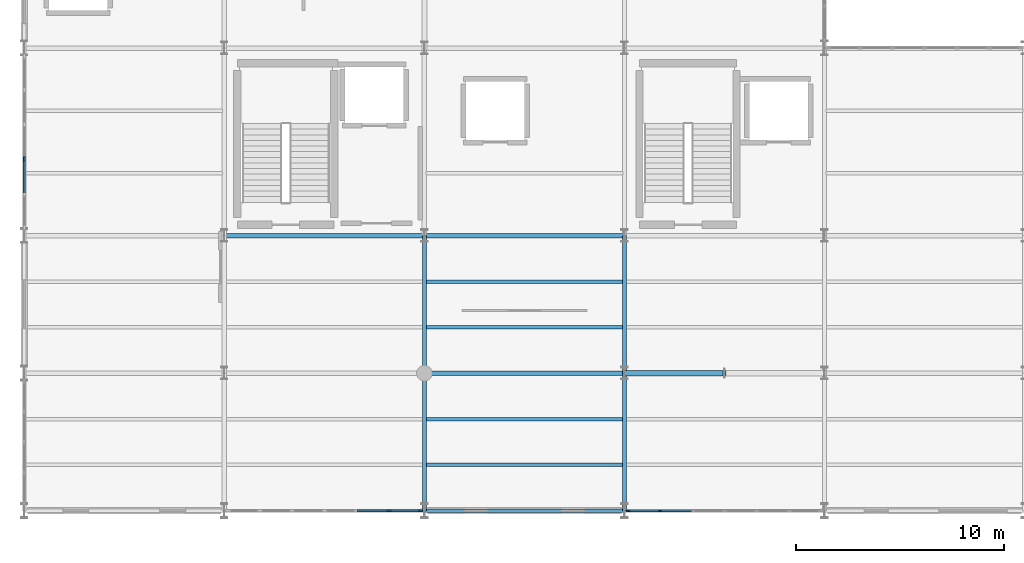
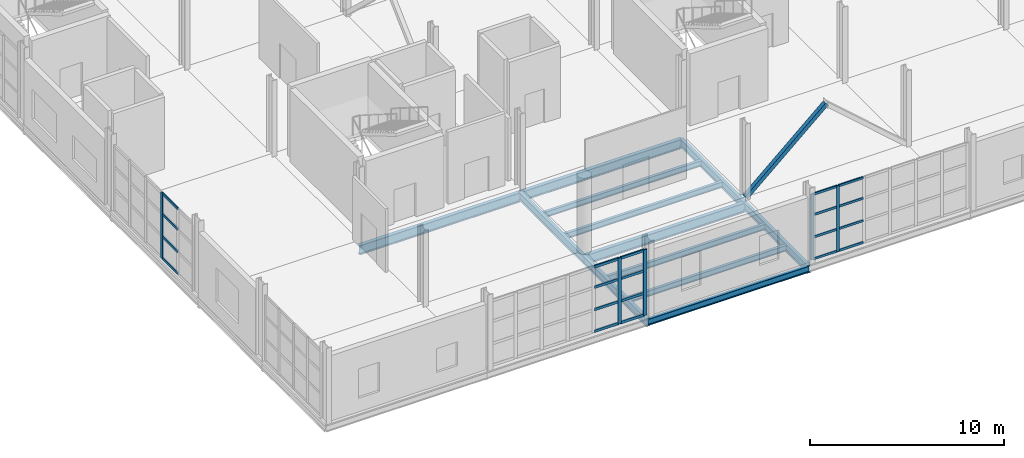
# One storey, part 16 of 120: 26 members, 12 beams, 3 elements without a shape of their own.
"""IFC4 building model written with IfcOpenShell, lengths in metres."""

from ifc_helpers import new_model, si_unit, direction, frame, origin, origin_2d, place, context, subcontext, project, spatial, rectangle, hollow_rectangle, i_section, extrude, material, layer, layer_set, material_profile, profile_set, type_object, element, aggregate, save


model = new_model("IFC4")

# Units and contexts
model_context = context("Model", 3, precision=1e-05, world=origin(), true_north=direction((0.0, 1.0)))
body_context = subcontext(model_context, "Body", "Model", "MODEL_VIEW")
ifc_project = project(units=[si_unit("LENGTHUNIT", "METRE"), si_unit("AREAUNIT", "SQUARE_METRE"), si_unit("VOLUMEUNIT", "CUBIC_METRE"), si_unit("PLANEANGLEUNIT", "RADIAN"), si_unit("MASSUNIT", "GRAM", prefix="KILO")], contexts=[model_context])

# Site, building, storey
site_placement = place(None, origin())
site = spatial("IfcSite", under=ifc_project, at=site_placement, CompositionType="ELEMENT")
building_placement = place(site_placement, origin())
building = spatial("IfcBuilding", under=site, at=building_placement, Name="Zarnetskaya Central Station", CompositionType="ELEMENT")
storey_placement = place(building_placement, frame((0.0, 0.0, 5.39990234375)))
storey = spatial("IfcBuildingStorey", under=building, at=storey_placement, Name="L01", CompositionType="ELEMENT", Elevation=5.39990234375)

# Beams
ifc_material_1 = material(Name="Steel S355", Category="steel")
ifc_material_profile_1 = material_profile(ifc_material_1, i_section(OverallWidth=0.169921875, OverallDepth=0.360107421875, WebThickness=0.008056640625, FlangeThickness=0.0126953125, FilletRadius=0.01806640625, at=origin_2d()), Name="IPE 360")
ifc_profile_set_1 = profile_set([ifc_material_profile_1], Name="Steel S355")
beam_type_1 = type_object("IfcBeamType", Name="BM-SEC-360", PredefinedType="BEAM", material=ifc_profile_set_1)
for number, where, z_axis, x_axis, name in (
    (1, (19.280029296875, 2.199951171875, -0.4599609375), (1.0, 0.0, 0.0), (0.0, 1.0, 0.0), "Secondary floor beam SEC-L01-Z512-CD-12-1"),
    (2, (19.280029296875, 4.39990234375, -0.4599609375), (1.0, 0.0, 0.0), (0.0, 1.0, 0.0), "Secondary floor beam SEC-L01-Z512-CD-12-2"),
    (3, (19.280029296875, 8.800048828125, -0.4599609375), (1.0, 0.0, 0.0), (0.0, 1.0, 0.0), "Secondary floor beam SEC-L01-Z512-CD-23-1"),
    (4, (19.280029296875, 11.0, -0.4599609375), (1.0, 0.0, 0.0), (0.0, 1.0, 0.0), "Secondary floor beam SEC-L01-Z512-CD-23-2"),
):
    element("IfcBeam", number, at=place(storey_placement, frame(where, z_axis=z_axis, x_axis=x_axis)), inside=storey, type_object=beam_type_1, Name=name, PredefinedType="BEAM", context=body_context, shape_type="SweptSolid", body=[
        extrude(i_section(OverallWidth=0.169921875, OverallDepth=0.360107421875, WebThickness=0.008056640625, FlangeThickness=0.0126953125, FilletRadius=0.01806640625, at=origin_2d()), origin(), (0.0, 0.0, 1.0), 9.43994140625),
    ])
ifc_material_profile_2 = material_profile(ifc_material_1, i_section(OverallWidth=0.179931640625, OverallDepth=0.39990234375, WebThickness=0.008544921875, FlangeThickness=0.013427734375, FilletRadius=0.02099609375, at=origin_2d()), Name="IPE 400")
ifc_profile_set_2 = profile_set([ifc_material_profile_2], Name="Steel S355")
beam_type_2 = type_object("IfcBeamType", Name="BM-SPN-V5", PredefinedType="SPANDREL", material=ifc_profile_set_2)
beam_1_placement = place(storey_placement, frame((19.199951171875, 0.0, -0.47998046875), z_axis=(1.0, 0.0, 0.0), x_axis=(0.0, 1.0, 0.0)))
element("IfcBeam", 5, at=beam_1_placement, inside=storey, type_object=beam_type_2, Name="Grid girder GX-L01-1-CD", PredefinedType="SPANDREL", context=body_context, shape_type="SweptSolid", body=[
    extrude(i_section(OverallWidth=0.179931640625, OverallDepth=0.39990234375, WebThickness=0.008544921875, FlangeThickness=0.013427734375, FilletRadius=0.02099609375, at=origin_2d()), origin(), (0.0, 0.0, 1.0), 9.60009765625),
])

# Curtain wall, members
ifc_material_2 = material(Name="Low-E insulated glass", Category="glass")
ifc_layer_1 = layer(ifc_material_2, 0.176025390625, Name="Low-E insulated glass", Category="glass")
ifc_layer_set_1 = layer_set([ifc_layer_1], Name="Low-E insulated glass")
curtain_wall_type_1 = type_object("IfcCurtainWallType", Name="CW-SYS-05", PredefinedType="USERDEFINED", material=ifc_layer_set_1)
curtain_wall_1_placement = place(storey_placement, origin())
curtain_wall_1 = element("IfcCurtainWall", 6, at=curtain_wall_1_placement, inside=storey, type_object=curtain_wall_type_1, Name="Curtain wall CW-L01-013", ObjectType="CURTAIN WALL", PredefinedType="USERDEFINED")
ifc_material_3 = material(Name="Anodised aluminium", Category="aluminium")
ifc_material_profile_3 = material_profile(ifc_material_3, rectangle(XDim=0.070068359375, YDim=0.179931640625, at=origin_2d()), Name="ALU MULL 70x180")
ifc_profile_set_3 = profile_set([ifc_material_profile_3], Name="Anodised aluminium")
member_type_1 = type_object("IfcMemberType", Name="CW-MULL-180", PredefinedType="MULLION", material=ifc_profile_set_3)
member_1_placement = place(storey_placement, frame((30.5, 0.0, 0.0), z_axis=(0.0, 0.0, 1.0), x_axis=(0.0, -1.0, 0.0)))
member_1 = element("IfcMember", 7, at=member_1_placement, type_object=member_type_1, Name="CW-14 mullion 6", PredefinedType="MULLION", context=body_context, shape_type="SweptSolid", body=[
    extrude(rectangle(XDim=0.070068359375, YDim=0.179931640625, at=origin_2d()), origin(), (0.0, 0.0, 1.0), 4.14013671875),
])
member_2_placement = place(storey_placement, frame((28.985107421875, 0.0, 0.0), z_axis=(0.0, 0.0, 1.0), x_axis=(0.0, -1.0, 0.0)))
member_2 = element("IfcMember", 8, at=member_2_placement, type_object=member_type_1, Name="CW-14 mullion 7", PredefinedType="MULLION", context=body_context, shape_type="SweptSolid", body=[
    extrude(rectangle(XDim=0.070068359375, YDim=0.179931640625, at=origin_2d()), origin(), (0.0, 0.0, 1.0), 4.14013671875),
])

# Curtain wall, member
curtain_wall_2_placement = place(storey_placement, origin())
curtain_wall_2 = element("IfcCurtainWall", 9, at=curtain_wall_2_placement, inside=storey, type_object=curtain_wall_type_1, Name="Curtain wall CW-L01-002", ObjectType="CURTAIN WALL", PredefinedType="USERDEFINED")
ifc_material_profile_4 = material_profile(ifc_material_3, rectangle(XDim=0.080078125, YDim=0.219970703125, at=origin_2d()), Name="ALU MULL 80x220")
ifc_profile_set_4 = profile_set([ifc_material_profile_4], Name="Anodised aluminium")
member_type_2 = type_object("IfcMemberType", Name="CW-MULL-220", PredefinedType="MULLION", material=ifc_profile_set_4)
member_3_placement = place(storey_placement, frame((0.0, 16.8701171875, 0.0), z_axis=(0.0, 0.0, 1.0), x_axis=(-1.0, 0.0, 0.0)))
member_3 = element("IfcMember", 10, at=member_3_placement, type_object=member_type_2, Name="CW-14 mullion 3", PredefinedType="MULLION", context=body_context, shape_type="SweptSolid", body=[
    extrude(rectangle(XDim=0.080078125, YDim=0.219970703125, at=origin_2d()), origin(), (0.0, 0.0, 1.0), 4.14013671875),
])

# Curtain wall, members
ifc_layer_2 = layer(ifc_material_2, 0.1640625, Name="Low-E insulated glass", Category="glass")
ifc_layer_set_2 = layer_set([ifc_layer_2], Name="Low-E insulated glass")
curtain_wall_type_2 = type_object("IfcCurtainWallType", Name="CW-SYS-07", PredefinedType="USERDEFINED", material=ifc_layer_set_2)
curtain_wall_3_placement = place(storey_placement, origin())
curtain_wall_3 = element("IfcCurtainWall", 11, at=curtain_wall_3_placement, inside=storey, type_object=curtain_wall_type_2, Name="Curtain wall CW-L01-014", ObjectType="CURTAIN WALL", PredefinedType="USERDEFINED")
member_4_placement = place(storey_placement, frame((19.010009765625, 0.0, 0.0), z_axis=(0.0, 0.0, 1.0), x_axis=(0.0, -1.0, 0.0)))
member_4 = element("IfcMember", 12, at=member_4_placement, type_object=member_type_2, Name="CW-06 mullion 1", PredefinedType="MULLION", context=body_context, shape_type="SweptSolid", body=[
    extrude(rectangle(XDim=0.080078125, YDim=0.219970703125, at=origin_2d()), origin(), (0.0, 0.0, 1.0), 4.14013671875),
])
member_5_placement = place(storey_placement, frame((17.5, 0.0, 0.0), z_axis=(0.0, 0.0, 1.0), x_axis=(0.0, -1.0, 0.0)))
member_5 = element("IfcMember", 13, at=member_5_placement, type_object=member_type_2, Name="CW-06 mullion 2", PredefinedType="MULLION", context=body_context, shape_type="SweptSolid", body=[
    extrude(rectangle(XDim=0.080078125, YDim=0.219970703125, at=origin_2d()), origin(), (0.0, 0.0, 1.0), 4.14013671875),
])

# Member
ifc_material_profile_5 = material_profile(ifc_material_3, rectangle(XDim=0.070068359375, YDim=0.139892578125, at=origin_2d()), Name="ALU TRAN 70x140")
ifc_profile_set_5 = profile_set([ifc_material_profile_5], Name="Anodised aluminium")
member_type_3 = type_object("IfcMemberType", Name="CW-TRAN-140", PredefinedType="USERDEFINED", material=ifc_profile_set_5)
member_6_placement = place(storey_placement, frame((32.014892578125, 0.0, 0.03515625), z_axis=(-1.0, 0.0, 0.0), x_axis=(0.0, -1.0, 0.0)))
member_6 = element("IfcMember", 14, at=member_6_placement, type_object=member_type_3, Name="CW-14 transom 5.1", ObjectType="TRANSOM", PredefinedType="USERDEFINED", context=body_context, shape_type="SweptSolid", body=[
    extrude(rectangle(XDim=0.070068359375, YDim=0.139892578125, at=origin_2d()), origin(), (0.0, 0.0, 1.0), 1.47998046875),
])

member_7_placement = place(storey_placement, frame((32.014892578125, 0.0, 1.408203125), z_axis=(-1.0, 0.0, 0.0), x_axis=(0.0, -1.0, 0.0)))
member_7 = element("IfcMember", 15, at=member_7_placement, type_object=member_type_3, Name="CW-14 transom 5.2", ObjectType="TRANSOM", PredefinedType="USERDEFINED", context=body_context, shape_type="SweptSolid", body=[
    extrude(rectangle(XDim=0.070068359375, YDim=0.139892578125, at=origin_2d()), origin(), (0.0, 0.0, 1.0), 1.47998046875),
])

member_8_placement = place(storey_placement, frame((32.014892578125, 0.0, 2.815185546875), z_axis=(-1.0, 0.0, 0.0), x_axis=(0.0, -1.0, 0.0)))
member_8 = element("IfcMember", 16, at=member_8_placement, type_object=member_type_3, Name="CW-14 transom 5.3", ObjectType="TRANSOM", PredefinedType="USERDEFINED", context=body_context, shape_type="SweptSolid", body=[
    extrude(rectangle(XDim=0.070068359375, YDim=0.139892578125, at=origin_2d()), origin(), (0.0, 0.0, 1.0), 1.47998046875),
])

member_9_placement = place(storey_placement, frame((32.014892578125, 0.0, 4.10498046875), z_axis=(-1.0, 0.0, 0.0), x_axis=(0.0, -1.0, 0.0)))
member_9 = element("IfcMember", 17, at=member_9_placement, type_object=member_type_3, Name="CW-14 transom 5.4", ObjectType="TRANSOM", PredefinedType="USERDEFINED", context=body_context, shape_type="SweptSolid", body=[
    extrude(rectangle(XDim=0.070068359375, YDim=0.139892578125, at=origin_2d()), origin(), (0.0, 0.0, 1.0), 1.47998046875),
])

member_10_placement = place(storey_placement, frame((30.465087890625, 0.0, 0.03515625), z_axis=(-1.0, 0.0, 0.0), x_axis=(0.0, -1.0, 0.0)))
member_10 = element("IfcMember", 18, at=member_10_placement, type_object=member_type_3, Name="CW-14 transom 6.1", ObjectType="TRANSOM", PredefinedType="USERDEFINED", context=body_context, shape_type="SweptSolid", body=[
    extrude(rectangle(XDim=0.070068359375, YDim=0.139892578125, at=origin_2d()), origin(), (0.0, 0.0, 1.0), 1.445068359375),
])

member_11_placement = place(storey_placement, frame((30.465087890625, 0.0, 1.408203125), z_axis=(-1.0, 0.0, 0.0), x_axis=(0.0, -1.0, 0.0)))
member_11 = element("IfcMember", 19, at=member_11_placement, type_object=member_type_3, Name="CW-14 transom 6.2", ObjectType="TRANSOM", PredefinedType="USERDEFINED", context=body_context, shape_type="SweptSolid", body=[
    extrude(rectangle(XDim=0.070068359375, YDim=0.139892578125, at=origin_2d()), origin(), (0.0, 0.0, 1.0), 1.445068359375),
])

member_12_placement = place(storey_placement, frame((30.465087890625, 0.0, 2.815185546875), z_axis=(-1.0, 0.0, 0.0), x_axis=(0.0, -1.0, 0.0)))
member_12 = element("IfcMember", 20, at=member_12_placement, type_object=member_type_3, Name="CW-14 transom 6.3", ObjectType="TRANSOM", PredefinedType="USERDEFINED", context=body_context, shape_type="SweptSolid", body=[
    extrude(rectangle(XDim=0.070068359375, YDim=0.139892578125, at=origin_2d()), origin(), (0.0, 0.0, 1.0), 1.445068359375),
])

member_13_placement = place(storey_placement, frame((30.465087890625, 0.0, 4.10498046875), z_axis=(-1.0, 0.0, 0.0), x_axis=(0.0, -1.0, 0.0)))
member_13 = element("IfcMember", 21, at=member_13_placement, type_object=member_type_3, Name="CW-14 transom 6.4", ObjectType="TRANSOM", PredefinedType="USERDEFINED", context=body_context, shape_type="SweptSolid", body=[
    extrude(rectangle(XDim=0.070068359375, YDim=0.139892578125, at=origin_2d()), origin(), (0.0, 0.0, 1.0), 1.445068359375),
])

aggregate(curtain_wall_1, [member_1, member_2, member_6, member_7, member_8, member_9, member_10, member_11, member_12, member_13])

ifc_material_profile_6 = material_profile(ifc_material_3, rectangle(XDim=0.080078125, YDim=0.159912109375, at=origin_2d()), Name="ALU TRAN 80x160")
ifc_profile_set_6 = profile_set([ifc_material_profile_6], Name="Anodised aluminium")
member_type_4 = type_object("IfcMemberType", Name="CW-TRAN-160", PredefinedType="USERDEFINED", material=ifc_profile_set_6)
member_14_placement = place(storey_placement, frame((0.0, 15.25, 0.0400390625), z_axis=(0.0, 1.0, 0.0), x_axis=(-1.0, 0.0, 0.0)))
member_14 = element("IfcMember", 22, at=member_14_placement, type_object=member_type_4, Name="CW-14 transom 2.1", ObjectType="TRANSOM", PredefinedType="USERDEFINED", context=body_context, shape_type="SweptSolid", body=[
    extrude(rectangle(XDim=0.080078125, YDim=0.159912109375, at=origin_2d()), origin(), (0.0, 0.0, 1.0), 1.580078125),
])

member_15_placement = place(storey_placement, frame((0.0, 15.25, 1.408203125), z_axis=(0.0, 1.0, 0.0), x_axis=(-1.0, 0.0, 0.0)))
member_15 = element("IfcMember", 23, at=member_15_placement, type_object=member_type_4, Name="CW-14 transom 2.2", ObjectType="TRANSOM", PredefinedType="USERDEFINED", context=body_context, shape_type="SweptSolid", body=[
    extrude(rectangle(XDim=0.080078125, YDim=0.159912109375, at=origin_2d()), origin(), (0.0, 0.0, 1.0), 1.580078125),
])

member_16_placement = place(storey_placement, frame((0.0, 15.25, 2.815185546875), z_axis=(0.0, 1.0, 0.0), x_axis=(-1.0, 0.0, 0.0)))
member_16 = element("IfcMember", 24, at=member_16_placement, type_object=member_type_4, Name="CW-14 transom 2.3", ObjectType="TRANSOM", PredefinedType="USERDEFINED", context=body_context, shape_type="SweptSolid", body=[
    extrude(rectangle(XDim=0.080078125, YDim=0.159912109375, at=origin_2d()), origin(), (0.0, 0.0, 1.0), 1.580078125),
])

member_17_placement = place(storey_placement, frame((0.0, 15.25, 4.10009765625), z_axis=(0.0, 1.0, 0.0), x_axis=(-1.0, 0.0, 0.0)))
member_17 = element("IfcMember", 25, at=member_17_placement, type_object=member_type_4, Name="CW-14 transom 2.4", ObjectType="TRANSOM", PredefinedType="USERDEFINED", context=body_context, shape_type="SweptSolid", body=[
    extrude(rectangle(XDim=0.080078125, YDim=0.159912109375, at=origin_2d()), origin(), (0.0, 0.0, 1.0), 1.580078125),
])

aggregate(curtain_wall_2, [member_3, member_14, member_15, member_16, member_17])

member_18_placement = place(storey_placement, frame((18.969970703125, 0.0, 0.0400390625), z_axis=(-1.0, 0.0, 0.0), x_axis=(0.0, -1.0, 0.0)))
member_18 = element("IfcMember", 26, at=member_18_placement, type_object=member_type_4, Name="CW-06 transom 1.1", ObjectType="TRANSOM", PredefinedType="USERDEFINED", context=body_context, shape_type="SweptSolid", body=[
    extrude(rectangle(XDim=0.080078125, YDim=0.159912109375, at=origin_2d()), origin(), (0.0, 0.0, 1.0), 1.429931640625),
])

member_19_placement = place(storey_placement, frame((18.969970703125, 0.0, 1.408203125), z_axis=(-1.0, 0.0, 0.0), x_axis=(0.0, -1.0, 0.0)))
member_19 = element("IfcMember", 27, at=member_19_placement, type_object=member_type_4, Name="CW-06 transom 1.2", ObjectType="TRANSOM", PredefinedType="USERDEFINED", context=body_context, shape_type="SweptSolid", body=[
    extrude(rectangle(XDim=0.080078125, YDim=0.159912109375, at=origin_2d()), origin(), (0.0, 0.0, 1.0), 1.429931640625),
])

member_20_placement = place(storey_placement, frame((18.969970703125, 0.0, 2.815185546875), z_axis=(-1.0, 0.0, 0.0), x_axis=(0.0, -1.0, 0.0)))
member_20 = element("IfcMember", 28, at=member_20_placement, type_object=member_type_4, Name="CW-06 transom 1.3", ObjectType="TRANSOM", PredefinedType="USERDEFINED", context=body_context, shape_type="SweptSolid", body=[
    extrude(rectangle(XDim=0.080078125, YDim=0.159912109375, at=origin_2d()), origin(), (0.0, 0.0, 1.0), 1.429931640625),
])

member_21_placement = place(storey_placement, frame((18.969970703125, 0.0, 4.10009765625), z_axis=(-1.0, 0.0, 0.0), x_axis=(0.0, -1.0, 0.0)))
member_21 = element("IfcMember", 29, at=member_21_placement, type_object=member_type_4, Name="CW-06 transom 1.4", ObjectType="TRANSOM", PredefinedType="USERDEFINED", context=body_context, shape_type="SweptSolid", body=[
    extrude(rectangle(XDim=0.080078125, YDim=0.159912109375, at=origin_2d()), origin(), (0.0, 0.0, 1.0), 1.429931640625),
])

member_22_placement = place(storey_placement, frame((17.4599609375, 0.0, 0.0400390625), z_axis=(-1.0, 0.0, 0.0), x_axis=(0.0, -1.0, 0.0)))
member_22 = element("IfcMember", 30, at=member_22_placement, type_object=member_type_4, Name="CW-06 transom 2.1", ObjectType="TRANSOM", PredefinedType="USERDEFINED", context=body_context, shape_type="SweptSolid", body=[
    extrude(rectangle(XDim=0.080078125, YDim=0.159912109375, at=origin_2d()), origin(), (0.0, 0.0, 1.0), 1.469970703125),
])

member_23_placement = place(storey_placement, frame((17.4599609375, 0.0, 1.408203125), z_axis=(-1.0, 0.0, 0.0), x_axis=(0.0, -1.0, 0.0)))
member_23 = element("IfcMember", 31, at=member_23_placement, type_object=member_type_4, Name="CW-06 transom 2.2", ObjectType="TRANSOM", PredefinedType="USERDEFINED", context=body_context, shape_type="SweptSolid", body=[
    extrude(rectangle(XDim=0.080078125, YDim=0.159912109375, at=origin_2d()), origin(), (0.0, 0.0, 1.0), 1.469970703125),
])

member_24_placement = place(storey_placement, frame((17.4599609375, 0.0, 2.815185546875), z_axis=(-1.0, 0.0, 0.0), x_axis=(0.0, -1.0, 0.0)))
member_24 = element("IfcMember", 32, at=member_24_placement, type_object=member_type_4, Name="CW-06 transom 2.3", ObjectType="TRANSOM", PredefinedType="USERDEFINED", context=body_context, shape_type="SweptSolid", body=[
    extrude(rectangle(XDim=0.080078125, YDim=0.159912109375, at=origin_2d()), origin(), (0.0, 0.0, 1.0), 1.469970703125),
])

member_25_placement = place(storey_placement, frame((17.4599609375, 0.0, 4.10009765625), z_axis=(-1.0, 0.0, 0.0), x_axis=(0.0, -1.0, 0.0)))
member_25 = element("IfcMember", 33, at=member_25_placement, type_object=member_type_4, Name="CW-06 transom 2.4", ObjectType="TRANSOM", PredefinedType="USERDEFINED", context=body_context, shape_type="SweptSolid", body=[
    extrude(rectangle(XDim=0.080078125, YDim=0.159912109375, at=origin_2d()), origin(), (0.0, 0.0, 1.0), 1.469970703125),
])

aggregate(curtain_wall_3, [member_4, member_5, member_18, member_19, member_20, member_21, member_22, member_23, member_24, member_25])

# Beams
ifc_material_profile_7 = material_profile(ifc_material_1, i_section(OverallWidth=0.199951171875, OverallDepth=0.5, WebThickness=0.01025390625, FlangeThickness=0.01611328125, FilletRadius=0.02099609375, at=origin_2d()), Name="IPE 500")
ifc_profile_set_7 = profile_set([ifc_material_profile_7], Name="Steel S355")
beam_type_3 = type_object("IfcBeamType", Name="GD-FLR-500", PredefinedType="USERDEFINED", material=ifc_profile_set_7)
beam_2_placement = place(storey_placement, frame((19.199951171875, 0.0, -0.52978515625), z_axis=(0.0, 1.0, 0.0), x_axis=(-1.0, 0.0, 0.0)))
element("IfcBeam", 34, at=beam_2_placement, inside=storey, type_object=beam_type_3, Name="Grid girder GY-L01-C-12", ObjectType="GIRDER", PredefinedType="USERDEFINED", context=body_context, shape_type="SweptSolid", body=[
    extrude(i_section(OverallWidth=0.199951171875, OverallDepth=0.5, WebThickness=0.01025390625, FlangeThickness=0.01611328125, FilletRadius=0.02099609375, at=origin_2d()), origin(), (0.0, 0.0, 1.0), 6.60009765625),
])
beam_3_placement = place(storey_placement, frame((19.199951171875, 6.60009765625, -0.52978515625), z_axis=(0.0, 1.0, 0.0), x_axis=(-1.0, 0.0, 0.0)))
element("IfcBeam", 35, at=beam_3_placement, inside=storey, type_object=beam_type_3, Name="Grid girder GY-L01-C-23", ObjectType="GIRDER", PredefinedType="USERDEFINED", context=body_context, shape_type="SweptSolid", body=[
    extrude(i_section(OverallWidth=0.199951171875, OverallDepth=0.5, WebThickness=0.01025390625, FlangeThickness=0.01611328125, FilletRadius=0.02099609375, at=origin_2d()), origin(), (0.0, 0.0, 1.0), 6.599853515625),
])
beam_4_placement = place(storey_placement, frame((28.800048828125, 0.0, -0.52978515625), z_axis=(0.0, 1.0, 0.0), x_axis=(-1.0, 0.0, 0.0)))
element("IfcBeam", 36, at=beam_4_placement, inside=storey, type_object=beam_type_3, Name="Grid girder GY-L01-D-12", ObjectType="GIRDER", PredefinedType="USERDEFINED", context=body_context, shape_type="SweptSolid", body=[
    extrude(i_section(OverallWidth=0.199951171875, OverallDepth=0.5, WebThickness=0.01025390625, FlangeThickness=0.01611328125, FilletRadius=0.02099609375, at=origin_2d()), origin(), (0.0, 0.0, 1.0), 6.60009765625),
])
beam_5_placement = place(storey_placement, frame((28.800048828125, 6.60009765625, -0.52978515625), z_axis=(0.0, 1.0, 0.0), x_axis=(-1.0, 0.0, 0.0)))
element("IfcBeam", 37, at=beam_5_placement, inside=storey, type_object=beam_type_3, Name="Grid girder GY-L01-D-23", ObjectType="GIRDER", PredefinedType="USERDEFINED", context=body_context, shape_type="SweptSolid", body=[
    extrude(i_section(OverallWidth=0.199951171875, OverallDepth=0.5, WebThickness=0.01025390625, FlangeThickness=0.01611328125, FilletRadius=0.02099609375, at=origin_2d()), origin(), (0.0, 0.0, 1.0), 6.599853515625),
])
ifc_material_profile_8 = material_profile(ifc_material_1, i_section(OverallWidth=0.219970703125, OverallDepth=0.60009765625, WebThickness=0.011962890625, FlangeThickness=0.01904296875, FilletRadius=0.02392578125, at=origin_2d()), Name="IPE 600")
ifc_profile_set_8 = profile_set([ifc_material_profile_8], Name="Steel S355")
beam_type_4 = type_object("IfcBeamType", Name="GD-FLR-600", PredefinedType="USERDEFINED", material=ifc_profile_set_8)
beam_6_placement = place(storey_placement, frame((9.60009765625, 13.199951171875, -0.579833984375), z_axis=(1.0, 0.0, 0.0), x_axis=(0.0, 1.0, 0.0)))
element("IfcBeam", 38, at=beam_6_placement, inside=storey, type_object=beam_type_4, Name="Grid girder GX-L01-3-BC", ObjectType="GIRDER", PredefinedType="USERDEFINED", context=body_context, shape_type="SweptSolid", body=[
    extrude(i_section(OverallWidth=0.219970703125, OverallDepth=0.60009765625, WebThickness=0.011962890625, FlangeThickness=0.01904296875, FilletRadius=0.02392578125, at=origin_2d()), origin(), (0.0, 0.0, 1.0), 9.599853515625),
])
for number, where, z_axis, x_axis, name in (
    (39, (19.199951171875, 6.60009765625, -0.579833984375), (1.0, 0.0, 0.0), (0.0, 1.0, 0.0), "Grid girder GX-L01-2-CD"),
    (40, (19.199951171875, 13.199951171875, -0.579833984375), (1.0, 0.0, 0.0), (0.0, 1.0, 0.0), "Grid girder GX-L01-3-CD"),
):
    element("IfcBeam", number, at=place(storey_placement, frame(where, z_axis=z_axis, x_axis=x_axis)), inside=storey, type_object=beam_type_4, Name=name, ObjectType="GIRDER", PredefinedType="USERDEFINED", context=body_context, shape_type="SweptSolid", body=[
        extrude(i_section(OverallWidth=0.219970703125, OverallDepth=0.60009765625, WebThickness=0.011962890625, FlangeThickness=0.01904296875, FilletRadius=0.02392578125, at=origin_2d()), origin(), (0.0, 0.0, 1.0), 9.60009765625),
    ])

# Member
ifc_material_profile_9 = material_profile(ifc_material_1, hollow_rectangle(XDim=0.25, YDim=0.25, WallThickness=0.012451171875, at=origin_2d()), Name="SHS 250x250x12.5")
ifc_profile_set_9 = profile_set([ifc_material_profile_9], Name="Steel S355")
member_type_5 = type_object("IfcMemberType", Name="MB-CBF-BRACE", PredefinedType="BRACE", material=ifc_profile_set_9)
member_26_placement = place(storey_placement, frame((28.800048828125, 6.60009765625, 0.0), z_axis=(0.749477309861, 0.0, 0.662030031044), x_axis=(0.0, 1.0, 0.0)))
element("IfcMember", 41, at=member_26_placement, inside=storey, type_object=member_type_5, Name="Concentrically braced frame chevron 2L L01", PredefinedType="BRACE", context=body_context, shape_type="SweptSolid", body=[
    extrude(hollow_rectangle(XDim=0.25, YDim=0.25, WallThickness=0.012451171875, at=origin_2d()), origin(), (0.0, 0.0, 1.0), 6.404541015625),
])

save(model, "model.ifc")
